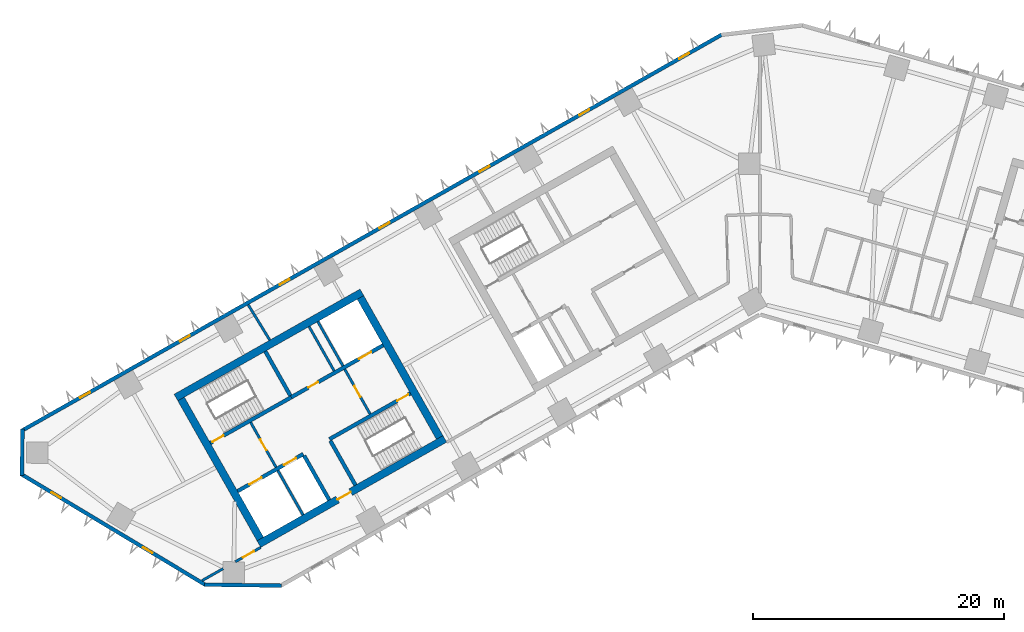
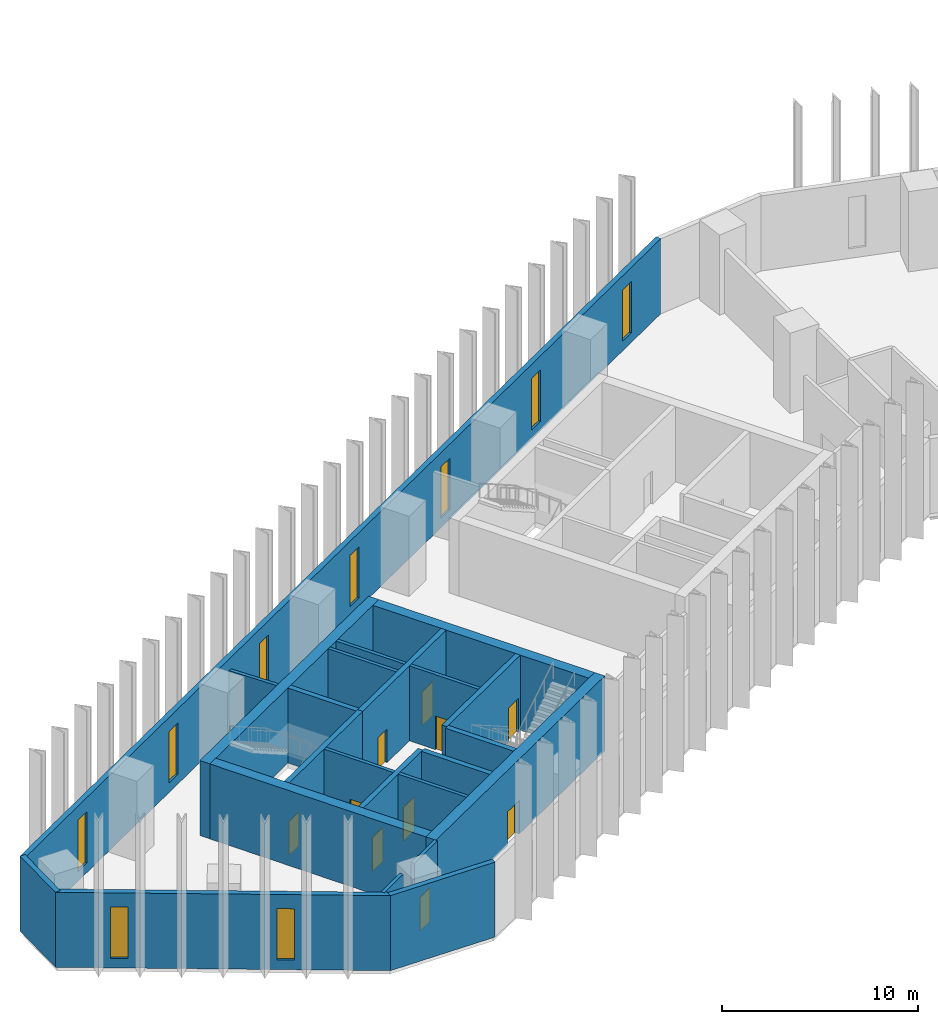
# One storey, part 3 of 11: 23 walls, 10 doors, 9 windows, 19 openings.
"""IFC4 building model written with IfcOpenShell, lengths in metres."""

from ifc_helpers import new_model, si_unit, direction, frame, frame_2d, origin, place, context, subcontext, project, spatial, rectangle, extrude, material, layer, layer_set, type_object, element, fill, save


model = new_model("IFC4")

# Units and contexts
model_context = context("Model", 3, precision=1e-05, world=origin(), true_north=direction((0.0, 1.0)))
body_context = subcontext(model_context, "Body", "Model", "MODEL_VIEW")
ifc_project = project(units=[si_unit("LENGTHUNIT", "METRE"), si_unit("AREAUNIT", "SQUARE_METRE"), si_unit("VOLUMEUNIT", "CUBIC_METRE"), si_unit("PLANEANGLEUNIT", "RADIAN"), si_unit("MASSUNIT", "GRAM", prefix="KILO")], contexts=[model_context])

# Site, building, storey
site_placement = place(None, origin())
site = spatial("IfcSite", under=ifc_project, at=site_placement, CompositionType="ELEMENT")
building_placement = place(site_placement, origin())
building = spatial("IfcBuilding", under=site, at=building_placement, Name="Binnacle Exchange Tower", CompositionType="ELEMENT")
storey_placement = place(building_placement, frame((0.0, 0.0, 36.5)))
storey = spatial("IfcBuildingStorey", under=building, at=storey_placement, Name="L07", CompositionType="ELEMENT", Elevation=36.5)

# Wall, openings, doors
ifc_material_1 = material(Name="Concrete C70/85", Category="concrete")
ifc_layer_1 = layer(ifc_material_1, 0.300048828125)
ifc_layer_set_1 = layer_set([ifc_layer_1], Name="Core wall - front 300")
wall_type_1 = type_object("IfcWallType", Name="Core wall - front 300", PredefinedType="SOLIDWALL", material=ifc_layer_set_1)
wall_1_placement = place(storey_placement, frame((-41.555908203125, 33.9609375, 0.0), z_axis=(0.0, 0.0, 1.0), x_axis=(0.870343731308, 0.492444706919, 0.0)))
wall_1 = element("IfcWall", 1, at=wall_1_placement, inside=storey, type_object=wall_type_1, Name="Core wall CRWA2", PredefinedType="SOLIDWALL", context=body_context, shape_type="SweptSolid", body=[
    extrude(rectangle(XDim=5.999755859375, YDim=0.300048828125, at=frame_2d((3.0, 0.0))), origin(), (0.0, 0.0, 1.0), 4.679931640625),
])
opening_1_placement = place(wall_1_placement, frame((1.099853515625, 0.0, 0.0)))
opening_1 = element("IfcOpeningElement", 2, at=opening_1_placement, cuts=wall_1, Name="Opening LD12", PredefinedType="OPENING", context=body_context, shape_type="SweptSolid", body=[
    extrude(rectangle(XDim=1.10009765625, YDim=2.10009765625, at=frame_2d((0.550048828125, 1.050048828125))), frame((0.0, 0.159912109375, 0.0), z_axis=(0.0, -1.0, 0.0), x_axis=(1.0, 0.0, 0.0)), (0.0, 0.0, 1.0), 0.320068359375),
])
opening_2_placement = place(wall_1_placement, frame((4.25, 0.0, 0.0)))
opening_2 = element("IfcOpeningElement", 3, at=opening_2_placement, cuts=wall_1, Name="Opening LD8", PredefinedType="OPENING", context=body_context, shape_type="SweptSolid", body=[
    extrude(rectangle(XDim=1.10009765625, YDim=2.10009765625, at=frame_2d((0.550048828125, 1.050048828125))), frame((0.0, 0.159912109375, 0.0), z_axis=(0.0, -1.0, 0.0), x_axis=(1.0, 0.0, 0.0)), (0.0, 0.0, 1.0), 0.320068359375),
])
ifc_material_2 = material(Name="Steel door leaf", Category="steel")
door_type_1 = type_object("IfcDoorType", Name="Fire door - lift landing 1100", OperationType="NOTDEFINED", PredefinedType="DOOR", material=ifc_material_2)
door_1_placement = place(opening_1_placement, origin())
door_1 = element("IfcDoor", 4, at=door_1_placement, inside=storey, type_object=door_type_1, Name="Landing door LD12 L07", OperationType="DOUBLE_DOOR_SLIDING", OverallHeight=2.10009765625, OverallWidth=1.10009765625, PredefinedType="DOOR", context=body_context, shape_type="SweptSolid", body=[
    extrude(rectangle(XDim=1.10009765625, YDim=2.10009765625, at=frame_2d((0.550048828125, 1.050048828125))), frame((0.0, 0.02490234375, 0.0), z_axis=(0.0, -1.0, 0.0), x_axis=(1.0, 0.0, 0.0)), (0.0, 0.0, 1.0), 0.050048828125),
])
fill(opening_1, door_1)
door_2_placement = place(opening_2_placement, origin())
door_2 = element("IfcDoor", 5, at=door_2_placement, inside=storey, type_object=door_type_1, Name="Landing door LD8 L07", OperationType="DOUBLE_DOOR_SLIDING", OverallHeight=2.10009765625, OverallWidth=1.10009765625, PredefinedType="DOOR", context=body_context, shape_type="SweptSolid", body=[
    extrude(rectangle(XDim=1.10009765625, YDim=2.10009765625, at=frame_2d((0.550048828125, 1.050048828125))), frame((0.0, 0.02490234375, 0.0), z_axis=(0.0, -1.0, 0.0), x_axis=(1.0, 0.0, 0.0)), (0.0, 0.0, 1.0), 0.050048828125),
])
fill(opening_2, door_2)

wall_2_placement = place(storey_placement, frame((-37.281982421875, 41.4345703125, 0.0), z_axis=(0.0, 0.0, 1.0), x_axis=(0.870356516133, 0.492422110414, 0.0)))
wall_2 = element("IfcWall", 6, at=wall_2_placement, inside=storey, type_object=wall_type_1, Name="Core wall CRWA5", PredefinedType="SOLIDWALL", context=body_context, shape_type="SweptSolid", body=[
    extrude(rectangle(XDim=8.399658203125, YDim=0.300048828125, at=frame_2d((4.19970703125, 0.0))), origin(), (0.0, 0.0, 1.0), 4.679931640625),
])
opening_3_placement = place(wall_2_placement, frame((6.199951171875, 0.0, 0.0)))
opening_3 = element("IfcOpeningElement", 7, at=opening_3_placement, cuts=wall_2, Name="Opening LD13", PredefinedType="OPENING", context=body_context, shape_type="SweptSolid", body=[
    extrude(rectangle(XDim=1.10009765625, YDim=2.10009765625, at=frame_2d((0.550048828125, 1.050048828125))), frame((0.0, 0.159912109375, 0.0), z_axis=(0.0, -1.0, 0.0), x_axis=(1.0, 0.0, 0.0)), (0.0, 0.0, 1.0), 0.320068359375),
])
opening_4_placement = place(wall_2_placement, frame((1.550048828125, 0.0, 0.0)))
opening_4 = element("IfcOpeningElement", 8, at=opening_4_placement, cuts=wall_2, Name="Opening DA10", PredefinedType="OPENING", context=body_context, shape_type="SweptSolid", body=[
    extrude(rectangle(XDim=0.89990234375, YDim=2.10009765625, at=frame_2d((0.449951171875, 1.050048828125))), frame((0.0, 0.159912109375, 0.0), z_axis=(0.0, -1.0, 0.0), x_axis=(1.0, 0.0, 0.0)), (0.0, 0.0, 1.0), 0.320068359375),
])
door_3_placement = place(opening_3_placement, origin())
door_3 = element("IfcDoor", 9, at=door_3_placement, inside=storey, type_object=door_type_1, Name="Landing door LD13 L07", OperationType="DOUBLE_DOOR_SLIDING", OverallHeight=2.10009765625, OverallWidth=1.10009765625, PredefinedType="DOOR", context=body_context, shape_type="SweptSolid", body=[
    extrude(rectangle(XDim=1.10009765625, YDim=2.10009765625, at=frame_2d((0.550048828125, 1.050048828125))), frame((0.0, 0.02490234375, 0.0), z_axis=(0.0, -1.0, 0.0), x_axis=(1.0, 0.0, 0.0)), (0.0, 0.0, 1.0), 0.050048828125),
])
fill(opening_3, door_3)
door_type_2 = type_object("IfcDoorType", Name="Fire door 900", OperationType="NOTDEFINED", PredefinedType="DOOR", material=ifc_material_2)
door_4_placement = place(opening_4_placement, origin())
door_4 = element("IfcDoor", 10, at=door_4_placement, inside=storey, type_object=door_type_2, Name="Core room door PANTRY", OperationType="SINGLE_SWING_LEFT", OverallHeight=2.10009765625, OverallWidth=0.89990234375, PredefinedType="DOOR", context=body_context, shape_type="SweptSolid", body=[
    extrude(rectangle(XDim=0.89990234375, YDim=2.10009765625, at=frame_2d((0.449951171875, 1.050048828125))), frame((0.0, 0.02490234375, 0.0), z_axis=(0.0, -1.0, 0.0), x_axis=(1.0, 0.0, 0.0)), (0.0, 0.0, 1.0), 0.050048828125),
])
fill(opening_4, door_4)

# Wall
wall_3_placement = place(storey_placement, frame((-36.260009765625, 36.784912109375, 0.0), z_axis=(0.0, 0.0, 1.0), x_axis=(0.492440575896, -0.870346068648, 0.0)))
element("IfcWall", 11, at=wall_3_placement, inside=storey, type_object=wall_type_1, Name="Core wall CRWA13", PredefinedType="SOLIDWALL", context=body_context, shape_type="SweptSolid", body=[
    extrude(rectangle(XDim=4.050048828125, YDim=0.300048828125, at=frame_2d((2.02490234375, 0.0))), origin(), (0.0, 0.0, 1.0), 4.679931640625),
])

# Wall, opening, door
ifc_layer_2 = layer(ifc_material_1, 0.60009765625)
ifc_layer_set_2 = layer_set([ifc_layer_2], Name="Core wall - outer 600")
wall_type_2 = type_object("IfcWallType", Name="Core wall - outer 600", PredefinedType="SOLIDWALL", material=ifc_layer_set_2)
wall_4_placement = place(storey_placement, frame((-39.8623046875, 29.748779296875, 0.0), z_axis=(0.0, 0.0, 1.0), x_axis=(0.870350116061, 0.492433422375, 0.0)))
wall_4 = element("IfcWall", 12, at=wall_4_placement, inside=storey, type_object=wall_type_2, Name="Core wall CRWA1", PredefinedType="SOLIDWALL", context=body_context, shape_type="SweptSolid", body=[
    extrude(rectangle(XDim=17.0, YDim=0.60009765625, at=frame_2d((8.5, 0.0))), origin(), (0.0, 0.0, 1.0), 4.679931640625),
])
opening_5_placement = place(wall_4_placement, frame((7.199951171875, 0.0, 0.0)))
opening_5 = element("IfcOpeningElement", 13, at=opening_5_placement, cuts=wall_4, Name="Opening DA7", PredefinedType="OPENING", context=body_context, shape_type="SweptSolid", body=[
    extrude(rectangle(XDim=1.199951171875, YDim=2.10009765625, at=frame_2d((0.60009765625, 1.050048828125))), frame((0.0, 0.31005859375, 0.0), z_axis=(0.0, -1.0, 0.0), x_axis=(1.0, 0.0, 0.0)), (0.0, 0.0, 1.0), 0.6201171875),
])
door_type_3 = type_object("IfcDoorType", Name="Fire door 1200", OperationType="NOTDEFINED", PredefinedType="DOOR", material=ifc_material_2)
door_5_placement = place(opening_5_placement, frame((1.199951171875, 0.0, 0.0), z_axis=(0.0, 0.0, 1.0), x_axis=(-1.0, 0.0, 0.0)))
door_5 = element("IfcDoor", 14, at=door_5_placement, inside=storey, type_object=door_type_3, Name="Lift lobby entrance door core A", OperationType="SINGLE_SWING_RIGHT", OverallHeight=2.10009765625, OverallWidth=1.199951171875, PredefinedType="DOOR", context=body_context, shape_type="SweptSolid", body=[
    extrude(rectangle(XDim=1.199951171875, YDim=2.10009765625, at=frame_2d((0.60009765625, 1.050048828125))), frame((0.0, 0.02490234375, 0.0), z_axis=(0.0, -1.0, 0.0), x_axis=(1.0, 0.0, 0.0)), (0.0, 0.0, 1.0), 0.050048828125),
])
fill(opening_5, door_5)

# Walls
wall_5_placement = place(storey_placement, frame((-46.460693359375, 41.41162109375, 0.0), z_axis=(0.0, 0.0, 1.0), x_axis=(0.870350116061, 0.492433422375, 0.0)))
element("IfcWall", 15, at=wall_5_placement, inside=storey, type_object=wall_type_2, Name="Core wall CRWA6", PredefinedType="SOLIDWALL", context=body_context, shape_type="SweptSolid", body=[
    extrude(rectangle(XDim=17.0, YDim=0.60009765625, at=frame_2d((8.5, 0.0))), origin(), (0.0, 0.0, 1.0), 4.679931640625),
])
for number, where, z_axis, x_axis, name in (
    (16, (-46.052001953125, 41.29833984375, 0.0), (0.0, 0.0, 1.0), (0.492418598281, -0.870358503186, 0.0), "Core wall CRWA7"),
    (17, (-31.7783203125, 49.3740234375, 0.0), (0.0, 0.0, 1.0), (0.492433046652, -0.870350328641, 0.0), "Core wall CRWA22"),
):
    element("IfcWall", number, at=place(storey_placement, frame(where, z_axis=z_axis, x_axis=x_axis)), inside=storey, type_object=wall_type_2, Name=name, PredefinedType="SOLIDWALL", context=body_context, shape_type="SweptSolid", body=[
        extrude(rectangle(XDim=12.800048828125, YDim=0.60009765625, at=frame_2d((6.39990234375, 0.0))), origin(), (0.0, 0.0, 1.0), 4.679931640625),
    ])

# Wall, opening, door
ifc_layer_3 = layer(ifc_material_1, 0.300048828125)
ifc_layer_set_3 = layer_set([ifc_layer_3], Name="Core wall - stair 300")
wall_type_3 = type_object("IfcWallType", Name="Core wall - stair 300", PredefinedType="SOLIDWALL", material=ifc_layer_set_3)
wall_6_placement = place(storey_placement, frame((-34.2451171875, 38.097412109375, 0.0), z_axis=(0.0, 0.0, 1.0), x_axis=(0.870364910201, 0.492407273597, 0.0)))
wall_6 = element("IfcWall", 18, at=wall_6_placement, inside=storey, type_object=wall_type_3, Name="Core wall CRWA3", PredefinedType="SOLIDWALL", context=body_context, shape_type="SweptSolid", body=[
    extrude(rectangle(XDim=7.39990234375, YDim=0.300048828125, at=frame_2d((3.699951171875, 0.0))), origin(), (0.0, 0.0, 1.0), 4.679931640625),
])
opening_6_placement = place(wall_6_placement, frame((6.199951171875, 0.0, 0.0)))
opening_6 = element("IfcOpeningElement", 19, at=opening_6_placement, cuts=wall_6, Name="Opening DA2", PredefinedType="OPENING", context=body_context, shape_type="SweptSolid", body=[
    extrude(rectangle(XDim=1.0, YDim=2.10009765625, at=frame_2d((0.5, 1.050048828125))), frame((0.0, 0.159912109375, 0.0), z_axis=(0.0, -1.0, 0.0), x_axis=(1.0, 0.0, 0.0)), (0.0, 0.0, 1.0), 0.320068359375),
])
door_type_4 = type_object("IfcDoorType", Name="Fire door 1000", OperationType="NOTDEFINED", PredefinedType="DOOR", material=ifc_material_2)
door_6_placement = place(opening_6_placement, frame((1.0, 0.0, 0.0), z_axis=(0.0, 0.0, 1.0), x_axis=(-1.0, 0.0, 0.0)))
door_6 = element("IfcDoor", 20, at=door_6_placement, inside=storey, type_object=door_type_4, Name="Stair door ST-A2", OperationType="SINGLE_SWING_LEFT", OverallHeight=2.10009765625, OverallWidth=1.0, PredefinedType="DOOR", context=body_context, shape_type="SweptSolid", body=[
    extrude(rectangle(XDim=1.0, YDim=2.10009765625, at=frame_2d((0.5, 1.050048828125))), frame((0.0, 0.02490234375, 0.0), z_axis=(0.0, -1.0, 0.0), x_axis=(1.0, 0.0, 0.0)), (0.0, 0.0, 1.0), 0.050048828125),
])
fill(opening_6, door_6)

wall_7_placement = place(storey_placement, frame((-43.72265625, 37.79052734375, 0.0), z_axis=(0.0, 0.0, 1.0), x_axis=(0.87035077051, 0.49243226567, 0.0)))
wall_7 = element("IfcWall", 21, at=wall_7_placement, inside=storey, type_object=wall_type_3, Name="Core wall CRWA4", PredefinedType="SOLIDWALL", context=body_context, shape_type="SweptSolid", body=[
    extrude(rectangle(XDim=7.400146484375, YDim=0.300048828125, at=frame_2d((3.7001953125, 0.0))), origin(), (0.0, 0.0, 1.0), 4.679931640625),
])
opening_7_placement = place(wall_7_placement, frame((0.199951171875, 0.0, 0.0)))
opening_7 = element("IfcOpeningElement", 22, at=opening_7_placement, cuts=wall_7, Name="Opening DA1", PredefinedType="OPENING", context=body_context, shape_type="SweptSolid", body=[
    extrude(rectangle(XDim=1.0, YDim=2.10009765625, at=frame_2d((0.5, 1.050048828125))), frame((0.0, 0.159912109375, 0.0), z_axis=(0.0, -1.0, 0.0), x_axis=(1.0, 0.0, 0.0)), (0.0, 0.0, 1.0), 0.320068359375),
])
door_7_placement = place(opening_7_placement, origin())
door_7 = element("IfcDoor", 23, at=door_7_placement, inside=storey, type_object=door_type_4, Name="Stair door ST-A1", OperationType="SINGLE_SWING_LEFT", OverallHeight=2.10009765625, OverallWidth=1.0, PredefinedType="DOOR", context=body_context, shape_type="SweptSolid", body=[
    extrude(rectangle(XDim=1.0, YDim=2.10009765625, at=frame_2d((0.5, 1.050048828125))), frame((0.0, 0.02490234375, 0.0), z_axis=(0.0, -1.0, 0.0), x_axis=(1.0, 0.0, 0.0)), (0.0, 0.0, 1.0), 0.050048828125),
])
fill(opening_7, door_7)

# Walls
wall_8_placement = place(storey_placement, frame((-39.350341796875, 45.090087890625, 0.0), z_axis=(0.0, 0.0, 1.0), x_axis=(0.49241474071, -0.870360685654, 0.0)))
element("IfcWall", 24, at=wall_8_placement, inside=storey, type_object=wall_type_3, Name="Core wall CRWA14", PredefinedType="SOLIDWALL", context=body_context, shape_type="SweptSolid", body=[
    extrude(rectangle(XDim=4.05029296875, YDim=0.300048828125, at=frame_2d((2.025146484375, 0.0))), origin(), (0.0, 0.0, 1.0), 4.679931640625),
])
wall_9_placement = place(storey_placement, frame((-34.171142578125, 37.966796875, 0.0), z_axis=(0.0, 0.0, 1.0), x_axis=(0.492394910396, -0.870371904542, 0.0)))
element("IfcWall", 25, at=wall_9_placement, inside=storey, type_object=wall_type_3, Name="Core wall CRWA16", PredefinedType="SOLIDWALL", context=body_context, shape_type="SweptSolid", body=[
    extrude(rectangle(XDim=4.0498046875, YDim=0.300048828125, at=frame_2d((2.02490234375, 0.0))), origin(), (0.0, 0.0, 1.0), 4.679931640625),
])

# Wall, openings, windows
ifc_material_3 = material(Name="Bronze aluminium cladding", Category="aluminium")
ifc_layer_4 = layer(ifc_material_3, 0.300048828125)
ifc_layer_set_4 = layer_set([ifc_layer_4], Name="External wall - spandrel 300")
wall_type_4 = type_object("IfcWallType", Name="External wall - spandrel 300", PredefinedType="STANDARD", material=ifc_layer_set_4)
wall_10_placement = place(storey_placement, frame((-58.744873046875, 38.763671875, 0.0), z_axis=(0.0, 0.0, 1.0), x_axis=(0.870355811726, 0.492423355453, 0.0)))
wall_10 = element("IfcWall", 26, at=wall_10_placement, inside=storey, type_object=wall_type_4, Name="External wall EW-F03 L07", PredefinedType="STANDARD", context=body_context, shape_type="SweptSolid", body=[
    extrude(rectangle(XDim=64.025390625, YDim=0.300048828125, at=frame_2d((32.0126953125, 0.0))), origin(), (0.0, 0.0, 1.0), 4.679931640625),
])
opening_8_placement = place(wall_10_placement, frame((60.12158203125, 0.0, 0.60009765625)))
opening_8 = element("IfcOpeningElement", 27, at=opening_8_placement, cuts=wall_10, Name="Opening WS1", PredefinedType="OPENING", context=body_context, shape_type="SweptSolid", body=[
    extrude(rectangle(XDim=0.89990234375, YDim=3.199951171875, at=frame_2d((0.449951171875, 1.60009765625))), frame((0.0, 0.159912109375, 0.0), z_axis=(0.0, -1.0, 0.0), x_axis=(1.0, 0.0, 0.0)), (0.0, 0.0, 1.0), 0.320068359375),
])
opening_9_placement = place(wall_10_placement, frame((50.99169921875, 0.0, 0.60009765625)))
opening_9 = element("IfcOpeningElement", 28, at=opening_9_placement, cuts=wall_10, Name="Opening WS1", PredefinedType="OPENING", context=body_context, shape_type="SweptSolid", body=[
    extrude(rectangle(XDim=0.89990234375, YDim=3.199951171875, at=frame_2d((0.449951171875, 1.60009765625))), frame((0.0, 0.159912109375, 0.0), z_axis=(0.0, -1.0, 0.0), x_axis=(1.0, 0.0, 0.0)), (0.0, 0.0, 1.0), 0.320068359375),
])
opening_10_placement = place(wall_10_placement, frame((41.86181640625, 0.0, 0.60009765625)))
opening_10 = element("IfcOpeningElement", 29, at=opening_10_placement, cuts=wall_10, Name="Opening WS1", PredefinedType="OPENING", context=body_context, shape_type="SweptSolid", body=[
    extrude(rectangle(XDim=0.89990234375, YDim=3.199951171875, at=frame_2d((0.449951171875, 1.60009765625))), frame((0.0, 0.159912109375, 0.0), z_axis=(0.0, -1.0, 0.0), x_axis=(1.0, 0.0, 0.0)), (0.0, 0.0, 1.0), 0.320068359375),
])
opening_11_placement = place(wall_10_placement, frame((32.73193359375, 0.0, 0.60009765625)))
opening_11 = element("IfcOpeningElement", 30, at=opening_11_placement, cuts=wall_10, Name="Opening WS1", PredefinedType="OPENING", context=body_context, shape_type="SweptSolid", body=[
    extrude(rectangle(XDim=0.89990234375, YDim=3.199951171875, at=frame_2d((0.449951171875, 1.60009765625))), frame((0.0, 0.159912109375, 0.0), z_axis=(0.0, -1.0, 0.0), x_axis=(1.0, 0.0, 0.0)), (0.0, 0.0, 1.0), 0.320068359375),
])
opening_12_placement = place(wall_10_placement, frame((23.60205078125, 0.0, 0.60009765625)))
opening_12 = element("IfcOpeningElement", 31, at=opening_12_placement, cuts=wall_10, Name="Opening WS1", PredefinedType="OPENING", context=body_context, shape_type="SweptSolid", body=[
    extrude(rectangle(XDim=0.89990234375, YDim=3.199951171875, at=frame_2d((0.449951171875, 1.60009765625))), frame((0.0, 0.159912109375, 0.0), z_axis=(0.0, -1.0, 0.0), x_axis=(1.0, 0.0, 0.0)), (0.0, 0.0, 1.0), 0.320068359375),
])
opening_13_placement = place(wall_10_placement, frame((14.47216796875, 0.0, 0.60009765625)))
opening_13 = element("IfcOpeningElement", 32, at=opening_13_placement, cuts=wall_10, Name="Opening WS1", PredefinedType="OPENING", context=body_context, shape_type="SweptSolid", body=[
    extrude(rectangle(XDim=0.89990234375, YDim=3.199951171875, at=frame_2d((0.449951171875, 1.60009765625))), frame((0.0, 0.159912109375, 0.0), z_axis=(0.0, -1.0, 0.0), x_axis=(1.0, 0.0, 0.0)), (0.0, 0.0, 1.0), 0.320068359375),
])
opening_14_placement = place(wall_10_placement, frame((5.34228515625, 0.0, 0.60009765625)))
opening_14 = element("IfcOpeningElement", 33, at=opening_14_placement, cuts=wall_10, Name="Opening WS1", PredefinedType="OPENING", context=body_context, shape_type="SweptSolid", body=[
    extrude(rectangle(XDim=0.89990234375, YDim=3.199951171875, at=frame_2d((0.449951171875, 1.60009765625))), frame((0.0, 0.159912109375, 0.0), z_axis=(0.0, -1.0, 0.0), x_axis=(1.0, 0.0, 0.0)), (0.0, 0.0, 1.0), 0.320068359375),
])
ifc_material_4 = material(Name="Bronze anodised aluminium frame", Category="aluminium")
window_type = type_object("IfcWindowType", Name="WS1 WINDOW 900x3200", PartitioningType="SINGLE_PANEL", PredefinedType="WINDOW", material=ifc_material_4)
window_1_placement = place(opening_8_placement, origin())
window_1 = element("IfcWindow", 34, at=window_1_placement, inside=storey, type_object=window_type, Name="Window WS1 L07", OverallHeight=3.199951171875, OverallWidth=0.89990234375, PartitioningType="SINGLE_PANEL", PredefinedType="WINDOW", context=body_context, shape_type="SweptSolid", body=[
    extrude(rectangle(XDim=0.89990234375, YDim=3.199951171875, at=frame_2d((0.449951171875, 1.60009765625))), frame((0.0, 0.030029296875, 0.0), z_axis=(0.0, -1.0, 0.0), x_axis=(1.0, 0.0, 0.0)), (0.0, 0.0, 1.0), 0.06005859375),
])
fill(opening_8, window_1)
window_2_placement = place(opening_9_placement, origin())
window_2 = element("IfcWindow", 35, at=window_2_placement, inside=storey, type_object=window_type, Name="Window WS1 L07", OverallHeight=3.199951171875, OverallWidth=0.89990234375, PartitioningType="SINGLE_PANEL", PredefinedType="WINDOW", context=body_context, shape_type="SweptSolid", body=[
    extrude(rectangle(XDim=0.89990234375, YDim=3.199951171875, at=frame_2d((0.449951171875, 1.60009765625))), frame((0.0, 0.030029296875, 0.0), z_axis=(0.0, -1.0, 0.0), x_axis=(1.0, 0.0, 0.0)), (0.0, 0.0, 1.0), 0.06005859375),
])
fill(opening_9, window_2)
window_3_placement = place(opening_10_placement, origin())
window_3 = element("IfcWindow", 36, at=window_3_placement, inside=storey, type_object=window_type, Name="Window WS1 L07", OverallHeight=3.199951171875, OverallWidth=0.89990234375, PartitioningType="SINGLE_PANEL", PredefinedType="WINDOW", context=body_context, shape_type="SweptSolid", body=[
    extrude(rectangle(XDim=0.89990234375, YDim=3.199951171875, at=frame_2d((0.449951171875, 1.60009765625))), frame((0.0, 0.030029296875, 0.0), z_axis=(0.0, -1.0, 0.0), x_axis=(1.0, 0.0, 0.0)), (0.0, 0.0, 1.0), 0.06005859375),
])
fill(opening_10, window_3)
window_4_placement = place(opening_11_placement, origin())
window_4 = element("IfcWindow", 37, at=window_4_placement, inside=storey, type_object=window_type, Name="Window WS1 L07", OverallHeight=3.199951171875, OverallWidth=0.89990234375, PartitioningType="SINGLE_PANEL", PredefinedType="WINDOW", context=body_context, shape_type="SweptSolid", body=[
    extrude(rectangle(XDim=0.89990234375, YDim=3.199951171875, at=frame_2d((0.449951171875, 1.60009765625))), frame((0.0, 0.030029296875, 0.0), z_axis=(0.0, -1.0, 0.0), x_axis=(1.0, 0.0, 0.0)), (0.0, 0.0, 1.0), 0.06005859375),
])
fill(opening_11, window_4)
window_5_placement = place(opening_12_placement, origin())
window_5 = element("IfcWindow", 38, at=window_5_placement, inside=storey, type_object=window_type, Name="Window WS1 L07", OverallHeight=3.199951171875, OverallWidth=0.89990234375, PartitioningType="SINGLE_PANEL", PredefinedType="WINDOW", context=body_context, shape_type="SweptSolid", body=[
    extrude(rectangle(XDim=0.89990234375, YDim=3.199951171875, at=frame_2d((0.449951171875, 1.60009765625))), frame((0.0, 0.030029296875, 0.0), z_axis=(0.0, -1.0, 0.0), x_axis=(1.0, 0.0, 0.0)), (0.0, 0.0, 1.0), 0.06005859375),
])
fill(opening_12, window_5)
window_6_placement = place(opening_13_placement, origin())
window_6 = element("IfcWindow", 39, at=window_6_placement, inside=storey, type_object=window_type, Name="Window WS1 L07", OverallHeight=3.199951171875, OverallWidth=0.89990234375, PartitioningType="SINGLE_PANEL", PredefinedType="WINDOW", context=body_context, shape_type="SweptSolid", body=[
    extrude(rectangle(XDim=0.89990234375, YDim=3.199951171875, at=frame_2d((0.449951171875, 1.60009765625))), frame((0.0, 0.030029296875, 0.0), z_axis=(0.0, -1.0, 0.0), x_axis=(1.0, 0.0, 0.0)), (0.0, 0.0, 1.0), 0.06005859375),
])
fill(opening_13, window_6)
window_7_placement = place(opening_14_placement, origin())
window_7 = element("IfcWindow", 40, at=window_7_placement, inside=storey, type_object=window_type, Name="Window WS1 L07", OverallHeight=3.199951171875, OverallWidth=0.89990234375, PartitioningType="SINGLE_PANEL", PredefinedType="WINDOW", context=body_context, shape_type="SweptSolid", body=[
    extrude(rectangle(XDim=0.89990234375, YDim=3.199951171875, at=frame_2d((0.449951171875, 1.60009765625))), frame((0.0, 0.030029296875, 0.0), z_axis=(0.0, -1.0, 0.0), x_axis=(1.0, 0.0, 0.0)), (0.0, 0.0, 1.0), 0.06005859375),
])
fill(opening_14, window_7)

# Wall
wall_11_placement = place(storey_placement, frame((-58.717041015625, 35.19384765625, 0.0), z_axis=(0.0, 0.0, 1.0), x_axis=(0.013069053407, 0.999914596275, 0.0)))
element("IfcWall", 41, at=wall_11_placement, inside=storey, type_object=wall_type_4, Name="External wall EW-F04 L07", PredefinedType="STANDARD", context=body_context, shape_type="SweptSolid", body=[
    extrude(rectangle(XDim=3.69873046875, YDim=0.300048828125, at=frame_2d((1.849365234375, 0.0))), origin(), (0.0, 0.0, 1.0), 4.679931640625),
])

# Wall, openings, windows
wall_12_placement = place(storey_placement, frame((-44.109375, 26.503662109375, 0.0), z_axis=(0.0, 0.0, 1.0), x_axis=(-0.857169502585, 0.515034410344, 0.0)))
wall_12 = element("IfcWall", 42, at=wall_12_placement, inside=storey, type_object=wall_type_4, Name="External wall EW-F05 L07", PredefinedType="STANDARD", context=body_context, shape_type="SweptSolid", body=[
    extrude(rectangle(XDim=17.126708984375, YDim=0.300048828125, at=frame_2d((8.5634765625, 0.0))), origin(), (0.0, 0.0, 1.0), 4.679931640625),
])
opening_15_placement = place(wall_12_placement, frame((13.403076171875, 0.0, 0.60009765625)))
opening_15 = element("IfcOpeningElement", 43, at=opening_15_placement, cuts=wall_12, Name="Opening WS1", PredefinedType="OPENING", context=body_context, shape_type="SweptSolid", body=[
    extrude(rectangle(XDim=0.89990234375, YDim=3.199951171875, at=frame_2d((0.449951171875, 1.60009765625))), frame((0.0, 0.159912109375, 0.0), z_axis=(0.0, -1.0, 0.0), x_axis=(1.0, 0.0, 0.0)), (0.0, 0.0, 1.0), 0.320068359375),
])
opening_16_placement = place(wall_12_placement, frame((4.903076171875, 0.0, 0.60009765625)))
opening_16 = element("IfcOpeningElement", 44, at=opening_16_placement, cuts=wall_12, Name="Opening WS1", PredefinedType="OPENING", context=body_context, shape_type="SweptSolid", body=[
    extrude(rectangle(XDim=0.89990234375, YDim=3.199951171875, at=frame_2d((0.449951171875, 1.60009765625))), frame((0.0, 0.159912109375, 0.0), z_axis=(0.0, -1.0, 0.0), x_axis=(1.0, 0.0, 0.0)), (0.0, 0.0, 1.0), 0.320068359375),
])
window_8_placement = place(opening_15_placement, origin())
window_8 = element("IfcWindow", 45, at=window_8_placement, inside=storey, type_object=window_type, Name="Window WS1 L07", OverallHeight=3.199951171875, OverallWidth=0.89990234375, PartitioningType="SINGLE_PANEL", PredefinedType="WINDOW", context=body_context, shape_type="SweptSolid", body=[
    extrude(rectangle(XDim=0.89990234375, YDim=3.199951171875, at=frame_2d((0.449951171875, 1.60009765625))), frame((0.0, 0.030029296875, 0.0), z_axis=(0.0, -1.0, 0.0), x_axis=(1.0, 0.0, 0.0)), (0.0, 0.0, 1.0), 0.06005859375),
])
fill(opening_15, window_8)
window_9_placement = place(opening_16_placement, origin())
window_9 = element("IfcWindow", 46, at=window_9_placement, inside=storey, type_object=window_type, Name="Window WS1 L07", OverallHeight=3.199951171875, OverallWidth=0.89990234375, PartitioningType="SINGLE_PANEL", PredefinedType="WINDOW", context=body_context, shape_type="SweptSolid", body=[
    extrude(rectangle(XDim=0.89990234375, YDim=3.199951171875, at=frame_2d((0.449951171875, 1.60009765625))), frame((0.0, 0.030029296875, 0.0), z_axis=(0.0, -1.0, 0.0), x_axis=(1.0, 0.0, 0.0)), (0.0, 0.0, 1.0), 0.06005859375),
])
fill(opening_16, window_9)

# Walls
wall_13_placement = place(storey_placement, frame((-38.057373046875, 26.44482421875, 0.0), z_axis=(0.0, 0.0, 1.0), x_axis=(-0.999914086342, 0.013108010296, 0.0)))
element("IfcWall", 47, at=wall_13_placement, inside=storey, type_object=wall_type_4, Name="External wall EW-F06 L07", PredefinedType="STANDARD", context=body_context, shape_type="SweptSolid", body=[
    extrude(rectangle(XDim=6.127685546875, YDim=0.300048828125, at=frame_2d((3.06396484375, 0.0))), origin(), (0.0, 0.0, 1.0), 4.679931640625),
])
ifc_material_5 = material(Name="Masonry block wall", Category="masonry")
ifc_layer_5 = layer(ifc_material_5, 0.199951171875)
ifc_layer_set_5 = layer_set([ifc_layer_5], Name="Fire wall - block 200")
wall_type_5 = type_object("IfcWallType", Name="Fire wall - block 200", PredefinedType="PARTITIONING", material=ifc_layer_set_5)
wall_14_placement = place(storey_placement, frame((-44.385986328125, 26.844970703125, 0.0), z_axis=(0.0, 0.0, 1.0), x_axis=(0.870226201187, 0.492652371118, 0.0)))
element("IfcWall", 48, at=wall_14_placement, inside=storey, type_object=wall_type_5, Name="Partition W01", PredefinedType="PARTITIONING", context=body_context, shape_type="SweptSolid", body=[
    extrude(rectangle(XDim=1.9326171875, YDim=0.199951171875, at=frame_2d((0.96630859375, 0.0))), origin(), (0.0, 0.0, 1.0), 4.679931640625),
])

# Wall, opening, door
wall_15_placement = place(storey_placement, frame((-41.738037109375, 28.343017578125, 0.0), z_axis=(0.0, 0.0, 1.0), x_axis=(0.870265350095, 0.492583211676, 0.0)))
wall_15 = element("IfcWall", 49, at=wall_15_placement, inside=storey, type_object=wall_type_5, Name="Partition W02", PredefinedType="PARTITIONING", context=body_context, shape_type="SweptSolid", body=[
    extrude(rectangle(XDim=2.324462890625, YDim=0.199951171875, at=frame_2d((1.162109375, 0.0))), origin(), (0.0, 0.0, 1.0), 4.679931640625),
])
opening_17_placement = place(wall_15_placement, frame((0.699951171875, 0.0, 0.0)))
opening_17 = element("IfcOpeningElement", 50, at=opening_17_placement, cuts=wall_15, Name="Opening DL05-01", PredefinedType="OPENING", context=body_context, shape_type="SweptSolid", body=[
    extrude(rectangle(XDim=1.0, YDim=2.10009765625, at=frame_2d((0.5, 1.050048828125))), frame((0.0, 0.10986328125, 0.0), z_axis=(0.0, -1.0, 0.0), x_axis=(1.0, 0.0, 0.0)), (0.0, 0.0, 1.0), 0.219970703125),
])
door_8_placement = place(opening_17_placement, origin())
door_8 = element("IfcDoor", 51, at=door_8_placement, inside=storey, type_object=door_type_4, Name="Door DL05-01", OperationType="SINGLE_SWING_RIGHT", OverallHeight=2.10009765625, OverallWidth=1.0, PredefinedType="DOOR", context=body_context, shape_type="SweptSolid", body=[
    extrude(rectangle(XDim=1.0, YDim=2.10009765625, at=frame_2d((0.5, 1.050048828125))), frame((0.0, 0.02490234375, 0.0), z_axis=(0.0, -1.0, 0.0), x_axis=(1.0, 0.0, 0.0)), (0.0, 0.0, 1.0), 0.050048828125),
])
fill(opening_17, door_8)

# Wall
wall_16_placement = place(storey_placement, frame((-40.712890625, 48.7939453125, 0.0), z_axis=(0.0, 0.0, 1.0), x_axis=(0.52165366254, -0.853157345604, 0.0)))
element("IfcWall", 52, at=wall_16_placement, inside=storey, type_object=wall_type_5, Name="Partition W03", PredefinedType="PARTITIONING", context=body_context, shape_type="SweptSolid", body=[
    extrude(rectangle(XDim=3.297119140625, YDim=0.199951171875, at=frame_2d((1.6484375, 0.0))), origin(), (0.0, 0.0, 1.0), 3.9599609375),
])

# Wall, opening, door
ifc_layer_6 = layer(ifc_material_5, 0.199951171875)
ifc_layer_set_6 = layer_set([ifc_layer_6], Name="Fire wall - vestibule 200")
wall_type_6 = type_object("IfcWallType", Name="Fire wall - vestibule 200", PredefinedType="PARTITIONING", material=ifc_layer_set_6)
wall_17_placement = place(storey_placement, frame((-40.515625, 39.4326171875, 0.0), z_axis=(0.0, 0.0, 1.0), x_axis=(0.492453559952, -0.87033872216, 0.0)))
wall_17 = element("IfcWall", 53, at=wall_17_placement, inside=storey, type_object=wall_type_6, Name="Core wall CRWA10", PredefinedType="PARTITIONING", context=body_context, shape_type="SweptSolid", body=[
    extrude(rectangle(XDim=4.099853515625, YDim=0.199951171875, at=frame_2d((2.0498046875, 0.0))), origin(), (0.0, 0.0, 1.0), 4.679931640625),
])
opening_18_placement = place(wall_17_placement, frame((1.550048828125, 0.0, 0.0)))
opening_18 = element("IfcOpeningElement", 54, at=opening_18_placement, cuts=wall_17, Name="Opening DA3", PredefinedType="OPENING", context=body_context, shape_type="SweptSolid", body=[
    extrude(rectangle(XDim=1.0, YDim=2.10009765625, at=frame_2d((0.5, 1.050048828125))), frame((0.0, 0.10986328125, 0.0), z_axis=(0.0, -1.0, 0.0), x_axis=(1.0, 0.0, 0.0)), (0.0, 0.0, 1.0), 0.219970703125),
])
door_9_placement = place(opening_18_placement, frame((1.0, 0.0, 0.0), z_axis=(0.0, 0.0, 1.0), x_axis=(-1.0, 0.0, 0.0)))
door_9 = element("IfcDoor", 55, at=door_9_placement, inside=storey, type_object=door_type_4, Name="Vestibule door VEST-W", OperationType="SINGLE_SWING_LEFT", OverallHeight=2.10009765625, OverallWidth=1.0, PredefinedType="DOOR", context=body_context, shape_type="SweptSolid", body=[
    extrude(rectangle(XDim=1.0, YDim=2.10009765625, at=frame_2d((0.5, 1.050048828125))), frame((0.0, 0.02490234375, 0.0), z_axis=(0.0, -1.0, 0.0), x_axis=(1.0, 0.0, 0.0)), (0.0, 0.0, 1.0), 0.050048828125),
])
fill(opening_18, door_9)

wall_18_placement = place(storey_placement, frame((-33.030517578125, 43.66748046875, 0.0), z_axis=(0.0, 0.0, 1.0), x_axis=(0.492408451753, -0.87036424366, 0.0)))
wall_18 = element("IfcWall", 56, at=wall_18_placement, inside=storey, type_object=wall_type_6, Name="Core wall CRWA19", PredefinedType="PARTITIONING", context=body_context, shape_type="SweptSolid", body=[
    extrude(rectangle(XDim=4.099853515625, YDim=0.199951171875, at=frame_2d((2.0498046875, 0.0))), origin(), (0.0, 0.0, 1.0), 4.679931640625),
])
opening_19_placement = place(wall_18_placement, frame((1.550048828125, 0.0, 0.0)))
opening_19 = element("IfcOpeningElement", 57, at=opening_19_placement, cuts=wall_18, Name="Opening DA4", PredefinedType="OPENING", context=body_context, shape_type="SweptSolid", body=[
    extrude(rectangle(XDim=1.0, YDim=2.10009765625, at=frame_2d((0.5, 1.050048828125))), frame((0.0, 0.10986328125, 0.0), z_axis=(0.0, -1.0, 0.0), x_axis=(1.0, 0.0, 0.0)), (0.0, 0.0, 1.0), 0.219970703125),
])
door_10_placement = place(opening_19_placement, origin())
door_10 = element("IfcDoor", 58, at=door_10_placement, inside=storey, type_object=door_type_4, Name="Vestibule door VEST-E", OperationType="SINGLE_SWING_RIGHT", OverallHeight=2.10009765625, OverallWidth=1.0, PredefinedType="DOOR", context=body_context, shape_type="SweptSolid", body=[
    extrude(rectangle(XDim=1.0, YDim=2.10009765625, at=frame_2d((0.5, 1.050048828125))), frame((0.0, 0.02490234375, 0.0), z_axis=(0.0, -1.0, 0.0), x_axis=(1.0, 0.0, 0.0)), (0.0, 0.0, 1.0), 0.050048828125),
])
fill(opening_19, door_10)

# Walls
ifc_layer_7 = layer(ifc_material_5, 0.199951171875)
ifc_layer_set_7 = layer_set([ifc_layer_7], Name="Riser wall 200")
wall_type_7 = type_object("IfcWallType", Name="Riser wall 200", PredefinedType="SOLIDWALL", material=ifc_layer_set_7)
wall_19_placement = place(storey_placement, frame((-35.868896484375, 47.059814453125, 0.0), z_axis=(0.0, 0.0, 1.0), x_axis=(0.49241474071, -0.870360685654, 0.0)))
element("IfcWall", 59, at=wall_19_placement, inside=storey, type_object=wall_type_7, Name="Core wall CRWA18", PredefinedType="SOLIDWALL", context=body_context, shape_type="SweptSolid", body=[
    extrude(rectangle(XDim=4.05029296875, YDim=0.199951171875, at=frame_2d((2.025146484375, 0.0))), origin(), (0.0, 0.0, 1.0), 4.679931640625),
])
wall_20_placement = place(storey_placement, frame((-35.172607421875, 47.45361328125, 0.0), z_axis=(0.0, 0.0, 1.0), x_axis=(0.492440575896, -0.870346068648, 0.0)))
element("IfcWall", 60, at=wall_20_placement, inside=storey, type_object=wall_type_7, Name="Core wall CRWA20", PredefinedType="SOLIDWALL", context=body_context, shape_type="SweptSolid", body=[
    extrude(rectangle(XDim=4.050048828125, YDim=0.199951171875, at=frame_2d((2.02490234375, 0.0))), origin(), (0.0, 0.0, 1.0), 4.679931640625),
])
ifc_layer_8 = layer(ifc_material_5, 0.199951171875)
ifc_layer_set_8 = layer_set([ifc_layer_8], Name="Shaft wall 200")
wall_type_8 = type_object("IfcWallType", Name="Shaft wall 200", PredefinedType="SOLIDWALL", material=ifc_layer_set_8)
wall_21_placement = place(storey_placement, frame((-38.348876953125, 35.603271484375, 0.0), z_axis=(0.0, 0.0, 1.0), x_axis=(0.49241474071, -0.870360685654, 0.0)))
element("IfcWall", 61, at=wall_21_placement, inside=storey, type_object=wall_type_8, Name="Core wall CRWA9", PredefinedType="SOLIDWALL", context=body_context, shape_type="SweptSolid", body=[
    extrude(rectangle(XDim=4.05029296875, YDim=0.199951171875, at=frame_2d((2.025146484375, 0.0))), origin(), (0.0, 0.0, 1.0), 4.679931640625),
])

save(model, "model.ifc")
